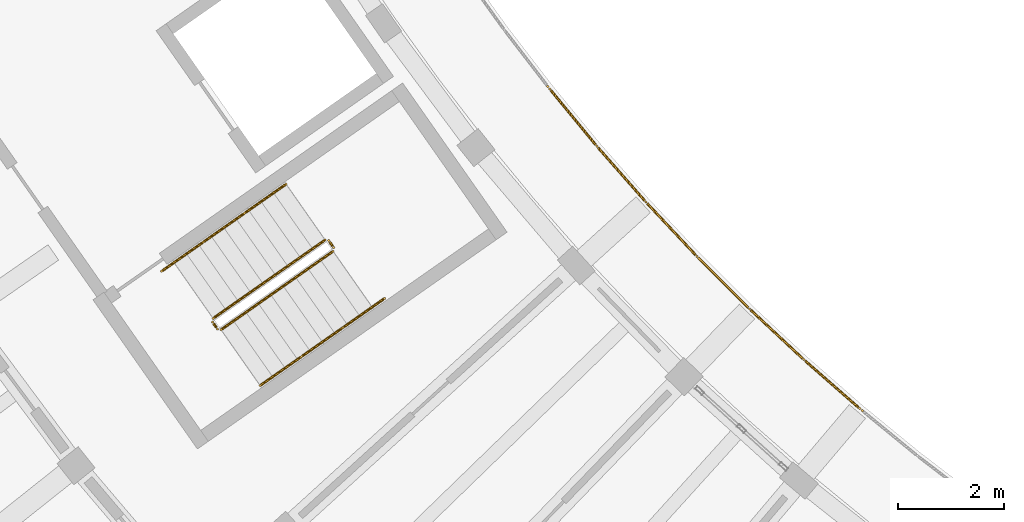
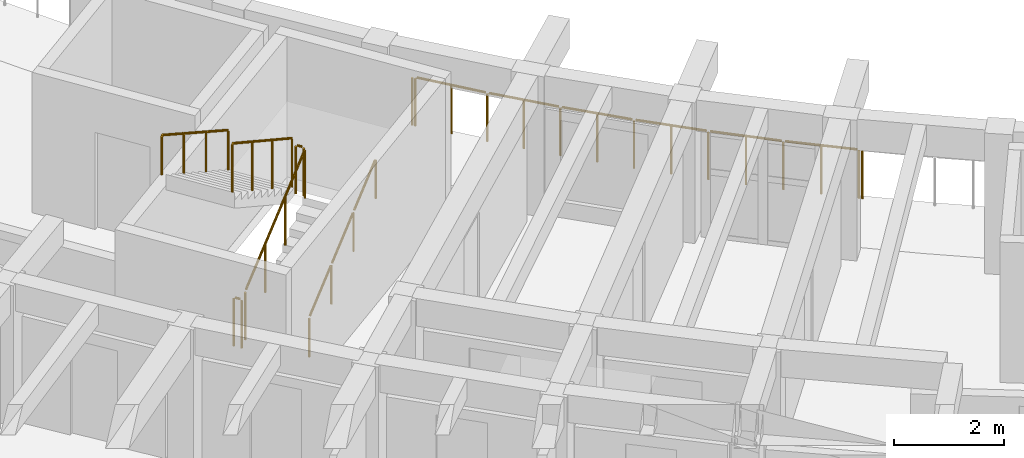
# One storey, part 43 of 56: 11 railings.
"""IFC4 building model written with IfcOpenShell, lengths in metres."""

import ifcopenshell
import ifcopenshell.guid

model = None  # the IFC model being written
_history = None  # IfcOwnerHistory: only IFC2X3 demands one
_inside = {}  # id of a spatial element -> (the spatial element, [elements in it])
_under = {}  # id of a project, library or spatial element -> (it, [spatial elements below it])
_declared = {}  # id of a project -> (the project, [libraries it declares])
_typed = {}  # id of a type object -> (the type object, [elements of that type])
_made_of = {}  # id of a material, layer set ... -> (it, [elements and type objects made of it])


def new_model(schema):
    """Start an empty IFC model of exactly this schema.

    Asked for "IFC4X3", IfcOpenShell would pick the latest addendum, in which some entities
    have other attributes; the version numbers below select the first issue.
    IFC2X3 requires an IfcOwnerHistory on every rooted entity: one is made here for all.
    """
    global model, _history
    if schema == "IFC4X3":
        model = ifcopenshell.file(schema_version=(4, 3, 0, 0))
    else:
        model = ifcopenshell.file(schema=schema)
    _inside.clear()
    _under.clear()
    _declared.clear()
    _typed.clear()
    _made_of.clear()
    _history = None
    if model.schema == "IFC2X3":
        org = make("IfcOrganization", Name="unknown")
        user = make(
            "IfcPersonAndOrganization",
            ThePerson=make("IfcPerson", FamilyName="unknown"),
            TheOrganization=org,
        )
        app = make(
            "IfcApplication",
            ApplicationDeveloper=org,
            Version="unknown",
            ApplicationFullName="unknown",
            ApplicationIdentifier="unknown",
        )
        _history = make(
            "IfcOwnerHistory",
            OwningUser=user,
            OwningApplication=app,
            ChangeAction="ADDED",
            CreationDate=0,
        )
    return model


def make(cls, **values):
    """One entity of the class cls with the attributes given. An attribute that is None is left unset."""
    return model.create_entity(
        cls, **{name: value for name, value in values.items() if value is not None}
    )


def rooted(cls, **values):
    """An entity with a GlobalId (a new one), such as an element, a storey or a relation."""
    return make(cls, GlobalId=ifcopenshell.guid.new(), OwnerHistory=_history, **values)


def si_unit(unit_type, name, prefix=None):
    """IfcSIUnit, for example si_unit("LENGTHUNIT", "METRE", prefix="MILLI")."""
    return make("IfcSIUnit", UnitType=unit_type, Prefix=prefix, Name=name)


def assignment(units):
    """IfcUnitAssignment: the units of a project."""
    return None if units is None else make("IfcUnitAssignment", Units=units)


def point(xyz):
    """IfcCartesianPoint."""
    return None if xyz is None else make("IfcCartesianPoint", Coordinates=xyz)


def direction(xyz):
    """IfcDirection."""
    return None if xyz is None else make("IfcDirection", DirectionRatios=xyz)


def frame(location, z_axis=None, x_axis=None):
    """IfcAxis2Placement3D, a coordinate frame: its origin and axes. An axis left out is left unset."""
    return make(
        "IfcAxis2Placement3D",
        Location=point(location),
        Axis=direction(z_axis),
        RefDirection=direction(x_axis),
    )


def frame_2d(location, x_axis=None):
    """IfcAxis2Placement2D, a coordinate frame in the plane: its origin and x axis."""
    return make(
        "IfcAxis2Placement2D", Location=point(location), RefDirection=direction(x_axis)
    )


def origin():
    """The frame at (0, 0, 0) with its axes left unset."""
    return frame((0.0, 0.0, 0.0))


def origin_2d():
    """The frame at (0, 0) in the plane with its x axis left unset."""
    return frame_2d((0.0, 0.0))


def place(relative_to, where):
    """IfcLocalPlacement: puts the frame where relative to a parent placement (None: the world)."""
    return make(
        "IfcLocalPlacement", PlacementRelTo=relative_to, RelativePlacement=where
    )


def context(
    kind, dimensions, precision=None, world=None, true_north=None, identifier=None
):
    """IfcGeometricRepresentationContext, for example the 3D "Model" context."""
    return make(
        "IfcGeometricRepresentationContext",
        ContextIdentifier=identifier,
        ContextType=kind,
        CoordinateSpaceDimension=dimensions,
        Precision=precision,
        WorldCoordinateSystem=world,
        TrueNorth=true_north,
    )


def subcontext(parent, identifier, kind, view, scale=None):
    """IfcGeometricRepresentationSubContext, for example "Body" below "Model"."""
    return make(
        "IfcGeometricRepresentationSubContext",
        ContextIdentifier=identifier,
        ContextType=kind,
        ParentContext=parent,
        TargetScale=scale,
        TargetView=view,
    )


def project(units=None, contexts=None):
    """IfcProject with its units and contexts."""
    return rooted(
        "IfcProject",
        Name="project",
        RepresentationContexts=contexts,
        UnitsInContext=assignment(units),
    )


def spatial(cls, under=None, at=None, **own):
    """A site, building, storey or space (cls), placed at a placement, below another one or the project."""
    s = rooted(cls, ObjectPlacement=at, **own)
    if under is not None:
        _under.setdefault(under.id(), (under, []))[1].append(s)
    return s


def profile(cls, at=None, kind="AREA", **sizes):
    """A parametric profile (cls). Its sizes go by their IFC names, for example OverallWidth=200.0."""
    return make(cls, ProfileType=kind, Position=at, **sizes)


def circle(**sizes):
    """IfcCircleProfileDef."""
    return profile("IfcCircleProfileDef", **sizes)


def extrude(swept, where, along, depth):
    """IfcExtrudedAreaSolid: the profile swept, set in the frame where, extruded along a direction by depth."""
    return make(
        "IfcExtrudedAreaSolid",
        SweptArea=swept,
        Position=where,
        ExtrudedDirection=direction(along),
        Depth=depth,
    )


def shape(context_of_items, identifier, shape_type, items):
    """IfcShapeRepresentation: the items that make up one representation, for example the "Body"."""
    return make(
        "IfcShapeRepresentation",
        ContextOfItems=context_of_items,
        RepresentationIdentifier=identifier,
        RepresentationType=shape_type,
        Items=items,
    )


def material(Name=None, Category=None):
    """IfcMaterial."""
    return make("IfcMaterial", Name=Name, Category=Category)


def made_of(thing, what):
    """Note that an element or type object is made of a material, layer set ...; save() writes the relation."""
    if what is not None:
        _made_of.setdefault(what.id(), (what, []))[1].append(thing)
    return thing


def type_object(cls, material=None, **own):
    """A type object (cls), such as IfcWallType, which elements share."""
    return made_of(rooted(cls, **own), material)


def element(
    cls,
    number,
    at=None,
    inside=None,
    cuts=None,
    type_object=None,
    material=None,
    context=None,
    identifier="Body",
    shape_type=None,
    held_by="IfcProductDefinitionShape",
    body=None,
    shapes=None,
    **own,
):
    """One element of the class cls, such as IfcWall. Its Tag is "e" and its number.

    at: its placement. inside: the storey or other place that contains it. cuts: it is an
    opening in that element (IfcRelVoidsElement). A single representation is given by context,
    identifier, shape_type and body (its items); several are given by shapes. held_by: the class
    of the entity that holds the representations. save() writes the other relations.
    """
    e = rooted(cls, Tag="e%d" % number, ObjectPlacement=at, **own)
    if body is not None:
        shapes = [shape(context, identifier, shape_type, body)]
    if shapes is not None:
        e.Representation = make(held_by, Representations=shapes)
    if inside is not None:
        _inside.setdefault(inside.id(), (inside, []))[1].append(e)
    if cuts is not None:
        rooted(
            "IfcRelVoidsElement", RelatingBuildingElement=cuts, RelatedOpeningElement=e
        )
    if type_object is not None:
        _typed.setdefault(type_object.id(), (type_object, []))[1].append(e)
    return made_of(e, material)


def aggregate(whole, parts):
    """IfcRelAggregates: a whole, such as a stair, and the parts it consists of."""
    return rooted("IfcRelAggregates", RelatingObject=whole, RelatedObjects=parts)


def save(model, path):
    """Write the relations noted so far, then the file.

    IfcRelAggregates (storeys below a building ...), IfcRelContainedInSpatialStructure (elements
    in a storey), IfcRelDefinesByType, IfcRelAssociatesMaterial and IfcRelDeclares: one each for
    every whole, place, type object, material and project.
    """
    for whole, parts in _under.values():
        aggregate(whole, parts)
    for where, things in _inside.values():
        rooted(
            "IfcRelContainedInSpatialStructure",
            RelatedElements=things,
            RelatingStructure=where,
        )
    for kind, things in _typed.values():
        rooted("IfcRelDefinesByType", RelatedObjects=things, RelatingType=kind)
    for what, things in _made_of.values():
        rooted("IfcRelAssociatesMaterial", RelatedObjects=things, RelatingMaterial=what)
    for by, libraries in _declared.values():
        rooted("IfcRelDeclares", RelatingContext=by, RelatedDefinitions=libraries)
    model.write(path)


model = new_model("IFC4")

# Units and contexts
model_context = context("Model", 3, precision=1e-05, world=origin(), true_north=direction((0.0, 1.0)))
body_context = subcontext(model_context, "Body", "Model", "MODEL_VIEW")
ifc_project = project(units=[si_unit("LENGTHUNIT", "METRE"), si_unit("AREAUNIT", "SQUARE_METRE"), si_unit("VOLUMEUNIT", "CUBIC_METRE"), si_unit("PLANEANGLEUNIT", "RADIAN"), si_unit("MASSUNIT", "GRAM", prefix="KILO")], contexts=[model_context])

# Site, building, storey
site_placement = place(None, origin())
site = spatial("IfcSite", under=ifc_project, at=site_placement, CompositionType="ELEMENT")
building_placement = place(site_placement, origin())
building = spatial("IfcBuilding", under=site, at=building_placement, Name="Tanwirah Colonnade Gardens", CompositionType="ELEMENT")
storey_placement = place(building_placement, frame((0.0, 0.0, 29.0)))
storey = spatial("IfcBuildingStorey", under=building, at=storey_placement, Name="L08", CompositionType="ELEMENT", Elevation=29.0)

# Railings
ifc_material_1 = material(Name="Precast concrete C40/50", Category="concrete")
railing_type_1 = type_object("IfcRailingType", Name="BAL-EXT110", PredefinedType="BALUSTRADE", material=ifc_material_1)
railing_1_placement = place(storey_placement, frame((31.56201171875, 37.978271484375, 0.0)))
element("IfcRailing", 1, at=railing_1_placement, inside=storey, type_object=railing_type_1, Name="Block C L08 Balcony Ribbon Balustrade 3", PredefinedType="BALUSTRADE", context=body_context, shape_type="SweptSolid", body=[
    extrude(circle(Radius=0.02392578125, at=origin_2d()), frame((0.056884765625, -0.072265625, 1.076171875), z_axis=(0.635209885743, -0.77233956331, 0.0), x_axis=(0.77233956331, 0.635209885743, 0.0)), (0.0, 0.0, 1.0), 1.33154296875),
    extrude(circle(Radius=0.02392578125, at=origin_2d()), frame((0.945068359375, -1.150390625, 1.076171875), z_axis=(0.660288280901, -0.751012240982, 0.0), x_axis=(0.751012240982, 0.660288280901, 0.0)), (0.0, 0.0, 1.0), 1.33154296875),
    extrude(circle(Radius=0.02392578125, at=origin_2d()), frame((1.867919921875, -2.198486328125, 1.076171875), z_axis=(0.684424509294, -0.729083733928, 0.0), x_axis=(0.729083733928, 0.684424509294, 0.0)), (0.0, 0.0, 1.0), 1.33154296875),
    extrude(circle(Radius=0.02392578125, at=origin_2d()), frame((2.824462890625, -3.216064453125, 1.076171875), z_axis=(0.707894448134, -0.706318235855, 0.0), x_axis=(0.706318235855, 0.707894448134, 0.0)), (0.0, 0.0, 1.0), 1.33154296875),
    extrude(circle(Radius=0.02392578125, at=origin_2d()), frame((3.81396484375, -4.201904296875, 1.076171875), z_axis=(0.730612417562, -0.682792424756, 0.0), x_axis=(0.682792424756, 0.730612417562, 0.0)), (0.0, 0.0, 1.0), 1.331298828125),
    extrude(circle(Radius=0.02392578125, at=origin_2d()), frame((4.834716796875, -5.15478515625, 1.076171875), z_axis=(0.752565845379, -0.658517006894, 0.0), x_axis=(0.658517006894, 0.752565845379, 0.0)), (0.0, 0.0, 1.0), 1.33154296875),
    extrude(circle(Radius=0.02099609375, at=origin_2d()), origin(), (0.0, 0.0, 1.0), 1.049072265625),
    extrude(circle(Radius=0.02099609375, at=origin_2d()), frame((0.037109375, -0.048095703125, 0.0)), (0.0, 0.0, 1.0), 1.049072265625),
    extrude(circle(Radius=0.02099609375, at=origin_2d()), frame((0.47998046875, -0.58642578125, 0.0)), (0.0, 0.0, 1.0), 1.049072265625),
    extrude(circle(Radius=0.02099609375, at=origin_2d()), frame((0.922607421875, -1.124755859375, 0.0)), (0.0, 0.0, 1.0), 1.049072265625),
    extrude(circle(Radius=0.02099609375, at=origin_2d()), frame((1.384521484375, -1.650390625, 0.0)), (0.0, 0.0, 1.0), 1.049072265625),
    extrude(circle(Radius=0.02099609375, at=origin_2d()), frame((1.8447265625, -2.173828125, 0.0)), (0.0, 0.0, 1.0), 1.049072265625),
    extrude(circle(Radius=0.02099609375, at=origin_2d()), frame((2.323486328125, -2.68408203125, 0.0)), (0.0, 0.0, 1.0), 1.049072265625),
    extrude(circle(Radius=0.02099609375, at=origin_2d()), frame((2.800537109375, -3.192138671875, 0.0)), (0.0, 0.0, 1.0), 1.049072265625),
    extrude(circle(Radius=0.02099609375, at=origin_2d()), frame((3.295654296875, -3.6865234375, 0.0)), (0.0, 0.0, 1.0), 1.049072265625),
    extrude(circle(Radius=0.02099609375, at=origin_2d()), frame((3.7890625, -4.1787109375, 0.0)), (0.0, 0.0, 1.0), 1.049072265625),
    extrude(circle(Radius=0.02099609375, at=origin_2d()), frame((4.30029296875, -4.656494140625, 0.0)), (0.0, 0.0, 1.0), 1.049072265625),
    extrude(circle(Radius=0.02099609375, at=origin_2d()), frame((4.809326171875, -5.13232421875, 0.0)), (0.0, 0.0, 1.0), 1.049072265625),
    extrude(circle(Radius=0.02099609375, at=origin_2d()), frame((5.3359375, -5.59326171875, 0.0)), (0.0, 0.0, 1.0), 1.049072265625),
    extrude(circle(Radius=0.02099609375, at=origin_2d()), frame((5.8603515625, -6.05224609375, 0.0)), (0.0, 0.0, 1.0), 1.049072265625),
    extrude(circle(Radius=0.02099609375, at=origin_2d()), frame((5.908447265625, -6.091552734375, 0.0)), (0.0, 0.0, 1.0), 1.049072265625),
])
ifc_material_2 = material(Name="Powder-coated galvanized steel", Category="steel")
railing_type_2 = type_object("IfcRailingType", Name="GRD-ST110", PredefinedType="GUARDRAIL", material=ifc_material_2)
railing_2_placement = place(storey_placement, frame((25.426513671875, 33.40869140625, 0.16796875)))
element("IfcRailing", 2, at=railing_2_placement, inside=storey, type_object=railing_type_2, Name="L08 ST-C1 stair guard 1", PredefinedType="GUARDRAIL", context=body_context, shape_type="SweptSolid", body=[
    extrude(circle(Radius=0.02392578125, at=origin_2d()), frame((0.02197265625, 0.015380859375, 1.092041015625), z_axis=(0.705672637115, 0.494118441931, 0.507812066193), x_axis=(-0.573577325805, 0.819151421486, 0.0)), (0.0, 0.0, 1.0), 2.914794921875),
    extrude(circle(Radius=0.02099609375, at=origin_2d()), origin(), (0.0, 0.0, 1.0), 1.049072265625),
    extrude(circle(Radius=0.02099609375, at=origin_2d()), frame((0.700439453125, 0.490478515625, 0.50390625)), (0.0, 0.0, 1.0), 1.049072265625),
    extrude(circle(Radius=0.02099609375, at=origin_2d()), frame((1.400634765625, 0.980712890625, 1.008056640625)), (0.0, 0.0, 1.0), 1.049072265625),
    extrude(circle(Radius=0.02099609375, at=origin_2d()), frame((2.10107421875, 1.47119140625, 1.511962890625)), (0.0, 0.0, 1.0), 1.049072265625),
])
railing_3_placement = place(storey_placement, frame((27.539794921875, 34.94970703125, 1.679931640625)))
element("IfcRailing", 3, at=railing_3_placement, inside=storey, type_object=railing_type_2, Name="L08 ST-C1 stair guard 2", PredefinedType="GUARDRAIL", context=body_context, shape_type="SweptSolid", body=[
    extrude(circle(Radius=0.02392578125, at=origin_2d()), frame((-0.01806640625, 0.025634765625, 1.076171875), z_axis=(-0.57428210862, 0.81865747399, 0.0), x_axis=(-0.81865747399, -0.57428210862, 0.0)), (0.0, 0.0, 1.0), 0.097412109375),
    extrude(circle(Radius=0.02099609375, at=origin_2d()), origin(), (0.0, 0.0, 1.0), 1.049072265625),
    extrude(circle(Radius=0.02099609375, at=origin_2d()), frame((-0.091796875, 0.130859375, 0.0)), (0.0, 0.0, 1.0), 1.049072265625),
])
railing_4_placement = place(storey_placement, frame((27.37841796875, 35.093017578125, 1.847900390625)))
element("IfcRailing", 4, at=railing_4_placement, inside=storey, type_object=railing_type_2, Name="L08 ST-C1 stair guard 3", PredefinedType="GUARDRAIL", context=body_context, shape_type="SweptSolid", body=[
    extrude(circle(Radius=0.02392578125, at=origin_2d()), frame((-0.02197265625, -0.015380859375, 1.092041015625), z_axis=(-0.70564325276, -0.494097866736, 0.507872915128), x_axis=(0.573577325805, -0.819151421486, 0.0)), (0.0, 0.0, 1.0), 2.9150390625),
    extrude(circle(Radius=0.02099609375, at=origin_2d()), origin(), (0.0, 0.0, 1.0), 1.049072265625),
    extrude(circle(Radius=0.02099609375, at=origin_2d()), frame((-0.700439453125, -0.490478515625, 0.504150390625)), (0.0, 0.0, 1.0), 1.049072265625),
    extrude(circle(Radius=0.02099609375, at=origin_2d()), frame((-1.400634765625, -0.980712890625, 1.008056640625)), (0.0, 0.0, 1.0), 1.049072265625),
    extrude(circle(Radius=0.02099609375, at=origin_2d()), frame((-2.10107421875, -1.47119140625, 1.51220703125)), (0.0, 0.0, 1.0), 1.049072265625),
])
railing_5_placement = place(storey_placement, frame((25.356689453125, 33.4208984375, 0.0)))
element("IfcRailing", 5, at=railing_5_placement, inside=storey, type_object=railing_type_2, Name="L08 ST-C1 stair guard 4", PredefinedType="GUARDRAIL", context=body_context, shape_type="SweptSolid", body=[
    extrude(circle(Radius=0.02392578125, at=origin_2d()), frame((-0.017822265625, 0.025634765625, 1.076171875), z_axis=(-0.57356471828, 0.819160249246, 0.0), x_axis=(-0.819160249246, -0.57356471828, 0.0)), (0.0, 0.0, 1.0), 0.097412109375),
    extrude(circle(Radius=0.02099609375, at=origin_2d()), origin(), (0.0, 0.0, 1.0), 1.049072265625),
    extrude(circle(Radius=0.02099609375, at=origin_2d()), frame((-0.091796875, 0.131103515625, 0.0)), (0.0, 0.0, 1.0), 1.049072265625),
])
ifc_material_3 = material(Name="Brushed bronze stainless steel", Category="steel")
railing_type_3 = type_object("IfcRailingType", Name="HR-ST090", PredefinedType="HANDRAIL", material=ifc_material_3)
railing_6_placement = place(storey_placement, frame((26.16064453125, 32.360107421875, 0.16796875)))
element("IfcRailing", 6, at=railing_6_placement, inside=storey, type_object=railing_type_3, Name="L08 ST-C1 stair handrail 1", PredefinedType="HANDRAIL", context=body_context, shape_type="SweptSolid", body=[
    extrude(circle(Radius=0.02392578125, at=origin_2d()), frame((0.02197265625, 0.015380859375, 0.891845703125), z_axis=(0.703686044561, 0.492823109966, 0.511811814023), x_axis=(-0.57365206981, 0.819099079967, 0.0)), (0.0, 0.0, 1.0), 1.043212890625),
    extrude(circle(Radius=0.02099609375, at=origin_2d()), origin(), (0.0, 0.0, 1.0), 0.848876953125),
    extrude(circle(Radius=0.02099609375, at=origin_2d()), frame((0.778076171875, 0.544921875, 0.56591796875)), (0.0, 0.0, 1.0), 0.848876953125),
])
railing_7_placement = place(storey_placement, frame((26.938720703125, 32.905029296875, 0.73388671875)))
element("IfcRailing", 7, at=railing_7_placement, inside=storey, type_object=railing_type_3, Name="L08 ST-C1 stair handrail 2", PredefinedType="HANDRAIL", context=body_context, shape_type="SweptSolid", body=[
    extrude(circle(Radius=0.02392578125, at=origin_2d()), frame((0.02197265625, 0.015380859375, 0.891845703125), z_axis=(0.703717970253, 0.492690875033, 0.511895223656), x_axis=(-0.573531324472, 0.819183630115, 0.0)), (0.0, 0.0, 1.0), 1.04345703125),
    extrude(circle(Radius=0.02099609375, at=origin_2d()), origin(), (0.0, 0.0, 1.0), 0.848876953125),
    extrude(circle(Radius=0.02099609375, at=origin_2d()), frame((0.7783203125, 0.544921875, 0.566162109375)), (0.0, 0.0, 1.0), 0.848876953125),
])
railing_8_placement = place(storey_placement, frame((27.717041015625, 33.449951171875, 1.300048828125)))
element("IfcRailing", 8, at=railing_8_placement, inside=storey, type_object=railing_type_3, Name="L08 ST-C1 stair handrail 3", PredefinedType="HANDRAIL", context=body_context, shape_type="SweptSolid", body=[
    extrude(circle(Radius=0.02392578125, at=origin_2d()), frame((0.02197265625, 0.015380859375, 0.891845703125), z_axis=(0.703686044561, 0.492823109966, 0.511811814023), x_axis=(-0.57365206981, 0.819099079967, 0.0)), (0.0, 0.0, 1.0), 1.043212890625),
    extrude(circle(Radius=0.02099609375, at=origin_2d()), origin(), (0.0, 0.0, 1.0), 0.848876953125),
    extrude(circle(Radius=0.02099609375, at=origin_2d()), frame((0.778076171875, 0.544921875, 0.56591796875)), (0.0, 0.0, 1.0), 0.848876953125),
])
railing_9_placement = place(storey_placement, frame((26.644287109375, 36.141357421875, 1.847900390625)))
element("IfcRailing", 9, at=railing_9_placement, inside=storey, type_object=railing_type_3, Name="L08 ST-C1 stair handrail 4", PredefinedType="HANDRAIL", context=body_context, shape_type="SweptSolid", body=[
    extrude(circle(Radius=0.02392578125, at=origin_2d()), frame((-0.02197265625, -0.015380859375, 0.891845703125), z_axis=(-0.703717970253, -0.492690875033, 0.511895223656), x_axis=(0.573531324472, -0.819183630115, 0.0)), (0.0, 0.0, 1.0), 1.04345703125),
    extrude(circle(Radius=0.02099609375, at=origin_2d()), origin(), (0.0, 0.0, 1.0), 0.848876953125),
    extrude(circle(Radius=0.02099609375, at=origin_2d()), frame((-0.7783203125, -0.544921875, 0.566162109375)), (0.0, 0.0, 1.0), 0.848876953125),
])
railing_10_placement = place(storey_placement, frame((25.865966796875, 35.596435546875, 2.4140625)))
element("IfcRailing", 10, at=railing_10_placement, inside=storey, type_object=railing_type_3, Name="L08 ST-C1 stair handrail 5", PredefinedType="HANDRAIL", context=body_context, shape_type="SweptSolid", body=[
    extrude(circle(Radius=0.02392578125, at=origin_2d()), frame((-0.02197265625, -0.015380859375, 0.891845703125), z_axis=(-0.703762611354, -0.492655910239, 0.511867503332), x_axis=(0.573479595945, -0.819219844141, 0.0)), (0.0, 0.0, 1.0), 1.04296875),
    extrude(circle(Radius=0.02099609375, at=origin_2d()), origin(), (0.0, 0.0, 1.0), 0.848876953125),
    extrude(circle(Radius=0.02099609375, at=origin_2d()), frame((-0.778076171875, -0.544677734375, 0.56591796875)), (0.0, 0.0, 1.0), 0.848876953125),
])
railing_11_placement = place(storey_placement, frame((25.087890625, 35.0517578125, 2.97998046875)))
element("IfcRailing", 11, at=railing_11_placement, inside=storey, type_object=railing_type_3, Name="L08 ST-C1 stair handrail 6", PredefinedType="HANDRAIL", context=body_context, shape_type="SweptSolid", body=[
    extrude(circle(Radius=0.02392578125, at=origin_2d()), frame((-0.02197265625, -0.015380859375, 0.891845703125), z_axis=(-0.703797483594, -0.492746544348, 0.511732298297), x_axis=(0.573531324472, -0.819183630115, 0.0)), (0.0, 0.0, 1.0), 1.04345703125),
    extrude(circle(Radius=0.02099609375, at=origin_2d()), origin(), (0.0, 0.0, 1.0), 0.848876953125),
    extrude(circle(Radius=0.02099609375, at=origin_2d()), frame((-0.7783203125, -0.544921875, 0.56591796875)), (0.0, 0.0, 1.0), 0.848876953125),
])

save(model, "model.ifc")
